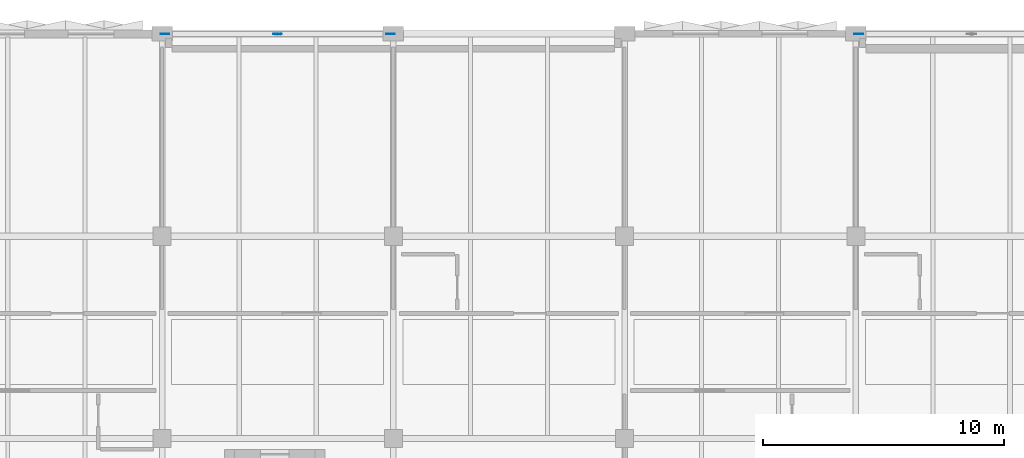
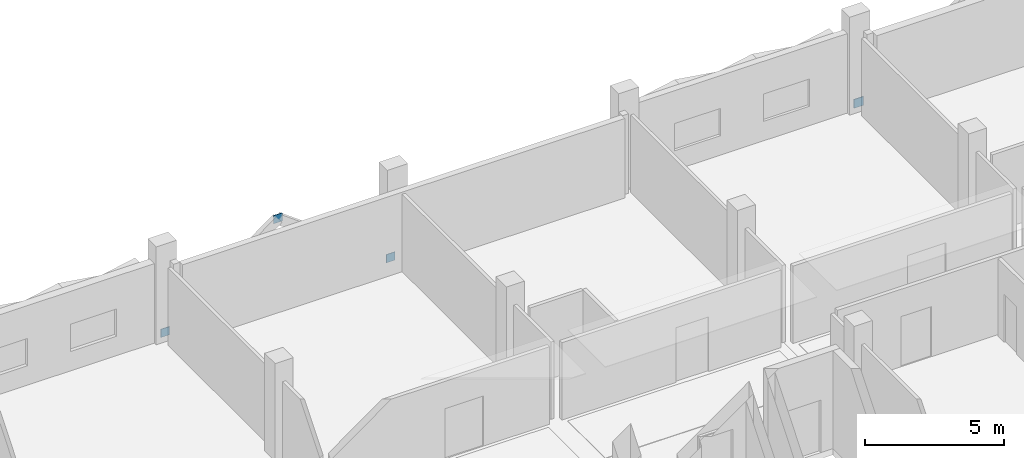
# One storey, part 52 of 86: 4 plates.
"""IFC4 building model written with IfcOpenShell, lengths in metres."""

from ifc_helpers import new_model, si_unit, direction, frame, origin, origin_2d, place, context, subcontext, project, spatial, rectangle, extrude, material, layer, layer_set, type_object, element, save


model = new_model("IFC4")

# Units and contexts
model_context = context("Model", 3, precision=1e-05, world=origin(), true_north=direction((0.0, 1.0)))
body_context = subcontext(model_context, "Body", "Model", "MODEL_VIEW")
ifc_project = project(units=[si_unit("LENGTHUNIT", "METRE"), si_unit("AREAUNIT", "SQUARE_METRE"), si_unit("VOLUMEUNIT", "CUBIC_METRE"), si_unit("PLANEANGLEUNIT", "RADIAN"), si_unit("MASSUNIT", "GRAM", prefix="KILO")], contexts=[model_context])

# Site, building, storey
site_placement = place(None, origin())
site = spatial("IfcSite", under=ifc_project, at=site_placement, CompositionType="ELEMENT")
building_placement = place(site_placement, origin())
building = spatial("IfcBuilding", under=site, at=building_placement, Name="Oolite Switchyard Hospital", CompositionType="ELEMENT")
storey_placement = place(building_placement, frame((0.0, 0.0, 13.5)))
storey = spatial("IfcBuildingStorey", under=building, at=storey_placement, Name="L03", CompositionType="ELEMENT", Elevation=13.5)

# Plates
ifc_material = material(Name="Steel ASTM A572 Grade 50", Category="steel")
ifc_layer_1 = layer(ifc_material, 0.02392578125)
ifc_layer_set_1 = layer_set([ifc_layer_1], Name="PLT-GUS-360")
plate_type_1 = type_object("IfcPlateType", Name="PLT-GUS-360", PredefinedType="SHEET", material=ifc_layer_set_1)
for number, where, z_axis, x_axis, name in (
    (1, (153.719970703125, 134.39990234375, 0.02001953125), (0.0, 0.0, 1.0), (1.0, 0.0, 0.0), "L03 Brace Base Gusset Plate 52"),
    (2, (163.080078125, 134.39990234375, 0.02001953125), (0.0, 0.0, 1.0), (1.0, 0.0, 0.0), "L03 Brace Base Gusset Plate 53"),
    (3, (158.39990234375, 134.39990234375, 3.3701171875), (0.0, 0.0, 1.0), (1.0, 0.0, 0.0), "L03 Gusset Connection Plate 54"),
):
    element("IfcPlate", number, at=place(storey_placement, frame(where, z_axis=z_axis, x_axis=x_axis)), inside=storey, type_object=plate_type_1, Name=name, PredefinedType="SHEET", context=body_context, shape_type="SweptSolid", body=[
        extrude(rectangle(XDim=0.360107421875, YDim=0.02392578125, at=origin_2d()), origin(), (0.0, 0.0, 1.0), 0.360107421875),
    ])
ifc_layer_2 = layer(ifc_material, 0.02587890625)
ifc_layer_set_2 = layer_set([ifc_layer_2], Name="PLT-GUS-390")
plate_type_2 = type_object("IfcPlateType", Name="PLT-GUS-390", PredefinedType="SHEET", material=ifc_layer_set_2)
plate_placement = place(storey_placement, frame((182.52001953125, 134.39990234375, 0.0048828125), z_axis=(0.0, 0.0, 1.0), x_axis=(1.0, 0.0, 0.0)))
element("IfcPlate", 4, at=plate_placement, inside=storey, type_object=plate_type_2, Name="L03 Brace Base Gusset Plate 76", PredefinedType="SHEET", context=body_context, shape_type="SweptSolid", body=[
    extrude(rectangle(XDim=0.389892578125, YDim=0.02587890625, at=origin_2d()), origin(), (0.0, 0.0, 1.0), 0.389892578125),
])

save(model, "model.ifc")
